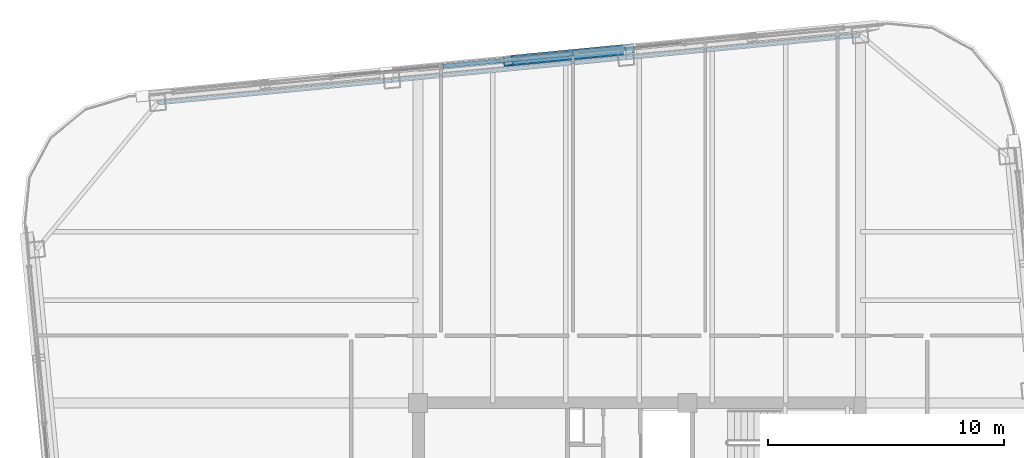
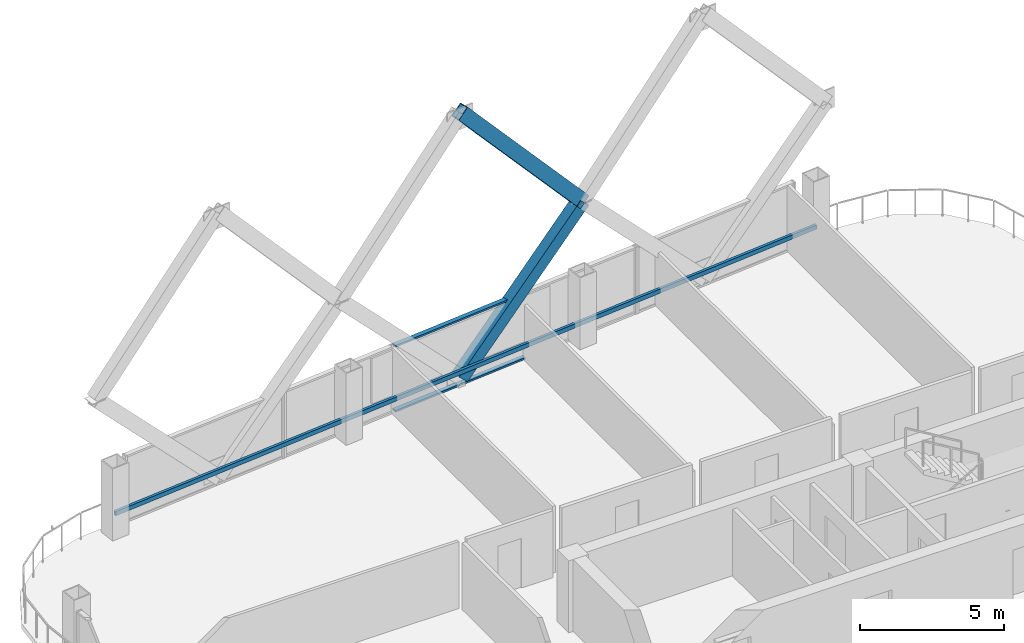
# One storey, part 23 of 34: 5 members, 1 element without a shape of its own.
"""IFC4 building model written with IfcOpenShell, lengths in metres."""

from ifc_helpers import new_model, si_unit, direction, frame, origin, origin_2d, place, context, subcontext, project, spatial, hollow_rectangle, extrude, material, layer, layer_set, material_profile, profile_set, type_object, element, aggregate, save


model = new_model("IFC4")

# Units and contexts
model_context = context("Model", 3, precision=1e-05, world=origin(), true_north=direction((0.0, 1.0)))
body_context = subcontext(model_context, "Body", "Model", "MODEL_VIEW")
ifc_project = project(units=[si_unit("LENGTHUNIT", "METRE"), si_unit("AREAUNIT", "SQUARE_METRE"), si_unit("VOLUMEUNIT", "CUBIC_METRE"), si_unit("PLANEANGLEUNIT", "RADIAN"), si_unit("MASSUNIT", "GRAM", prefix="KILO")], contexts=[model_context])

# Site, building, storey
site_placement = place(None, origin())
site = spatial("IfcSite", under=ifc_project, at=site_placement, CompositionType="ELEMENT")
building_placement = place(site_placement, origin())
building = spatial("IfcBuilding", under=site, at=building_placement, Name="Qhalaya Broadcast Tower", CompositionType="ELEMENT")
storey_placement = place(building_placement, frame((0.0, 0.0, 168.35009765625)))
storey = spatial("IfcBuildingStorey", under=building, at=storey_placement, Name="L49", CompositionType="ELEMENT", Elevation=168.35009765625)

# Members
ifc_material_1 = material(Name="Structural Steel ASTM A572 Grade 50", Category="steel")
ifc_material_profile_1 = material_profile(ifc_material_1, hollow_rectangle(XDim=0.39990234375, YDim=0.550048828125, WallThickness=0.02490234375, at=origin_2d()), Name="BOX 400x550x25")
ifc_profile_set_1 = profile_set([ifc_material_profile_1], Name="Structural Steel ASTM A572 Grade 50")
member_type_1 = type_object("IfcMemberType", Name="Exoskeleton Diamond Diagonal Mid-High EX3", PredefinedType="BRACE", material=ifc_profile_set_1)
member_1_placement = place(storey_placement, frame((-5.5517578125, 24.433349609375, 0.35986328125), z_axis=(0.690615647814, 0.066502760768, 0.72015790616), x_axis=(-0.164116501784, 0.984196976573, 0.066498760488)))
element("IfcMember", 1, at=member_1_placement, inside=storey, type_object=member_type_1, Name="B4 Exoskeleton Diamond Brace N2-D1", PredefinedType="BRACE", context=body_context, shape_type="SweptSolid", body=[
    extrude(hollow_rectangle(XDim=0.39990234375, YDim=0.550048828125, WallThickness=0.02490234375, at=origin_2d()), origin(), (0.0, 0.0, 1.0), 7.470703125),
])
member_2_placement = place(storey_placement, frame((-0.392333984375, 24.93017578125, 5.739990234375), z_axis=(-0.659492058015, -0.063505717979, 0.749024198007), x_axis=(0.166870474322, -0.983931783079, 0.063501897979)))
element("IfcMember", 2, at=member_2_placement, inside=storey, type_object=member_type_1, Name="B4 Exoskeleton Diamond Brace N2-D3", PredefinedType="BRACE", context=body_context, shape_type="SweptSolid", body=[
    extrude(hollow_rectangle(XDim=0.39990234375, YDim=0.550048828125, WallThickness=0.02490234375, at=origin_2d()), origin(), (0.0, 0.0, 1.0), 7.8232421875),
])
ifc_material_2 = material(Name="Fired Architectural Terracotta", Category="masonry")
ifc_material_profile_2 = material_profile(ifc_material_2, hollow_rectangle(XDim=0.110107421875, YDim=0.179931640625, WallThickness=0.01806640625, at=origin_2d()), Name="TB-BAG 110x180x18")
ifc_profile_set_2 = profile_set([ifc_material_profile_2], Name="Fired Architectural Terracotta")
member_type_2 = type_object("IfcMemberType", Name="Fired Terracotta Facade Baguette Member TB1", PredefinedType="USERDEFINED", material=ifc_profile_set_2)
member_3_placement = place(storey_placement, frame((9.362060546875, 25.52783203125, 0.848876953125), z_axis=(-0.995396439073, -0.095843252659, 0.0), x_axis=(0.095843252659, -0.995396439073, 0.0)))
element("IfcMember", 3, at=member_3_placement, inside=storey, type_object=member_type_2, Name="L49 Terracotta Baguette Feature Rail N", ObjectType="BAGUETTE", PredefinedType="USERDEFINED", context=body_context, shape_type="SweptSolid", body=[
    extrude(hollow_rectangle(XDim=0.110107421875, YDim=0.179931640625, WallThickness=0.01806640625, at=origin_2d()), origin(), (0.0, 0.0, 1.0), 29.900146484375),
])

# Curtain wall, members
ifc_layer = layer(ifc_material_2, 0.219970703125, Name="Fired Architectural Terracotta")
ifc_layer_set = layer_set([ifc_layer], Name="Fired Architectural Terracotta")
curtain_wall_type = type_object("IfcCurtainWallType", Name="Block-Cap Unitised Terracotta Spandrel Wall CW-07", PredefinedType="NOTDEFINED", material=ifc_layer_set)
curtain_wall_placement = place(storey_placement, origin())
curtain_wall = element("IfcCurtainWall", 4, at=curtain_wall_placement, inside=storey, type_object=curtain_wall_type, Name="L49 Unitised Curtain Wall L49-CW-N3", PredefinedType="NOTDEFINED")
ifc_material_3 = material(Name="Anodised Aluminium 6063-T6", Category="aluminium")
ifc_material_profile_3 = material_profile(ifc_material_3, hollow_rectangle(XDim=0.074951171875, YDim=0.179931640625, WallThickness=0.00390625, at=origin_2d()), Name="ALU-TRN 75x180x4")
ifc_profile_set_3 = profile_set([ifc_material_profile_3], Name="Anodised Aluminium 6063-T6")
member_type_3 = type_object("IfcMemberType", Name="Unitised Curtain-Wall Transom T01", PredefinedType="USERDEFINED", material=ifc_profile_set_3)
member_4_placement = place(storey_placement, frame((-2.79736328125, 24.73876953125, 0.037353515625), z_axis=(-0.995395136412, -0.095856780706, 0.0), x_axis=(0.0, 0.0, 1.0)))
member_4 = element("IfcMember", 5, at=member_4_placement, type_object=member_type_3, Name="CW-07 transom 1.1", ObjectType="TRANSOM", PredefinedType="USERDEFINED", context=body_context, shape_type="SweptSolid", body=[
    extrude(hollow_rectangle(XDim=0.074951171875, YDim=0.179931640625, WallThickness=0.00390625, at=origin_2d()), origin(), (0.0, 0.0, 1.0), 5.542236328125),
])
member_5_placement = place(storey_placement, frame((-2.79736328125, 24.73876953125, 2.79248046875), z_axis=(-0.995395136412, -0.095856780706, 0.0), x_axis=(0.0, 0.0, 1.0)))
member_5 = element("IfcMember", 6, at=member_5_placement, type_object=member_type_3, Name="CW-07 transom 1.2", ObjectType="TRANSOM", PredefinedType="USERDEFINED", context=body_context, shape_type="SweptSolid", body=[
    extrude(hollow_rectangle(XDim=0.074951171875, YDim=0.179931640625, WallThickness=0.00390625, at=origin_2d()), origin(), (0.0, 0.0, 1.0), 5.542236328125),
])
aggregate(curtain_wall, [member_4, member_5])

save(model, "model.ifc")
